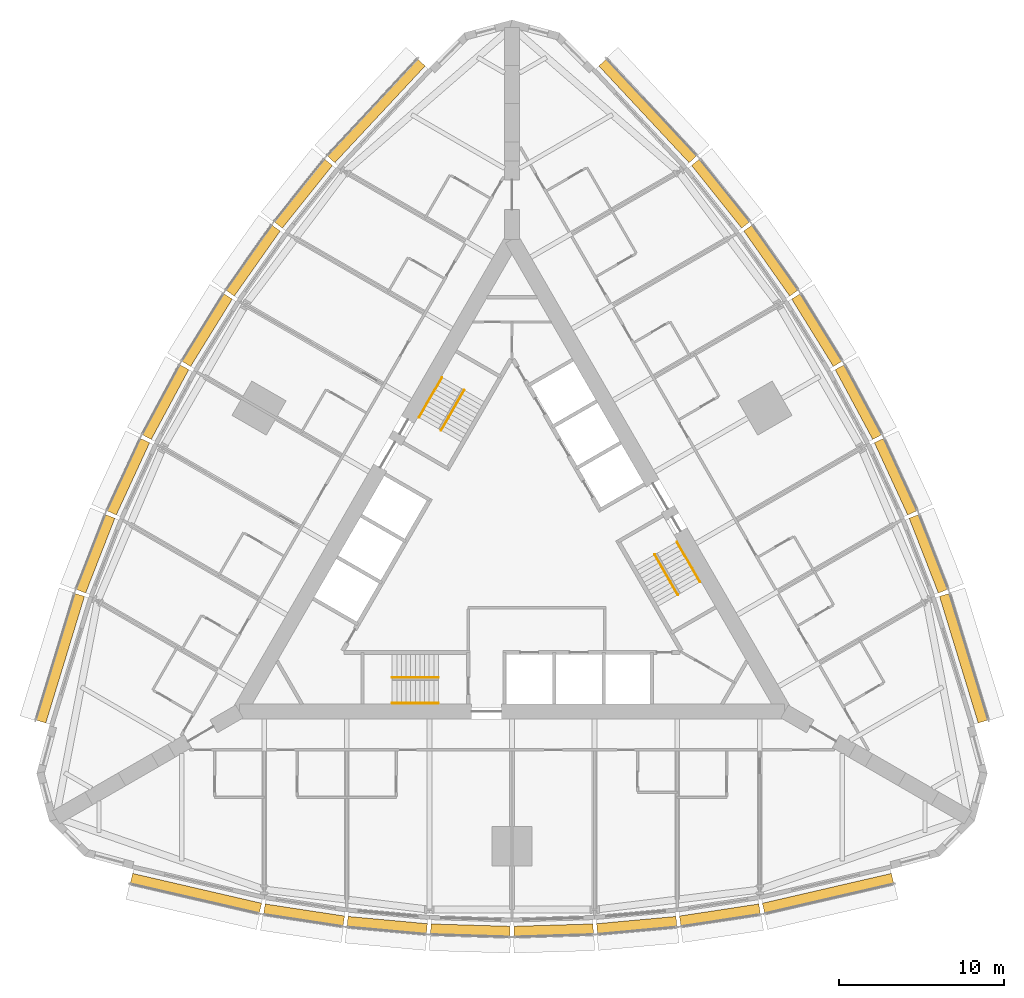
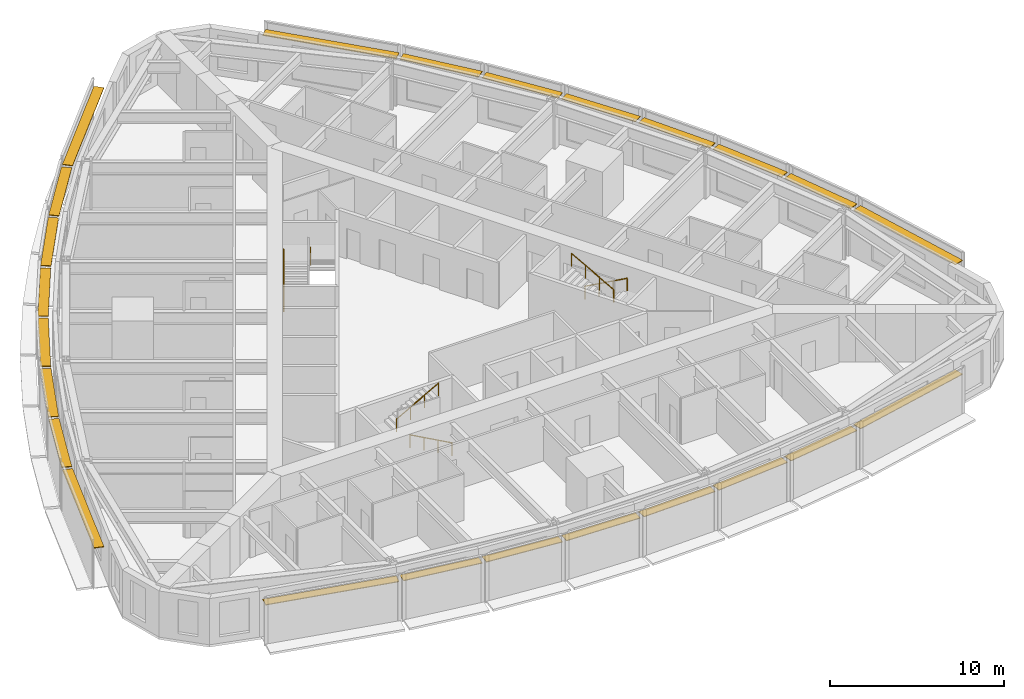
# One storey, part 14 of 14: 24 shading devices, 6 railings.
"""IFC4 building model written with IfcOpenShell, lengths in metres."""

from ifc_helpers import new_model, si_unit, direction, frame, origin, origin_2d, place, context, subcontext, project, spatial, rectangle, circle, extrude, material, type_object, element, save


model = new_model("IFC4")

# Units and contexts
model_context = context("Model", 3, precision=1e-05, world=origin(), true_north=direction((0.0, 1.0)))
body_context = subcontext(model_context, "Body", "Model", "MODEL_VIEW")
ifc_project = project(units=[si_unit("LENGTHUNIT", "METRE"), si_unit("AREAUNIT", "SQUARE_METRE"), si_unit("VOLUMEUNIT", "CUBIC_METRE"), si_unit("PLANEANGLEUNIT", "RADIAN"), si_unit("MASSUNIT", "GRAM", prefix="KILO")], contexts=[model_context])

# Site, building, storey
site_placement = place(None, origin())
site = spatial("IfcSite", under=ifc_project, at=site_placement, CompositionType="ELEMENT")
building_placement = place(site_placement, origin())
building = spatial("IfcBuilding", under=site, at=building_placement, Name="Trikona Tower", CompositionType="ELEMENT")
storey_placement = place(building_placement, frame((0.0, 0.0, 45.5)))
storey = spatial("IfcBuildingStorey", under=building, at=storey_placement, Name="L10", CompositionType="ELEMENT", Elevation=45.5)

# Shading devices
ifc_material_1 = material(Name="Aluminium louvre blade, pale anodised", Category="aluminium")
shading_device_type = type_object("IfcShadingDeviceType", Name="Cavity louvre 600", PredefinedType="USERDEFINED", material=ifc_material_1)
shading_device_1_placement = place(storey_placement, frame((-19.126220703125, -20.5234375, 2.77490234375), z_axis=(0.0, 0.0, 1.0), x_axis=(0.974277718622, -0.225350675607, 0.0)))
element("IfcShadingDevice", 1, at=shading_device_1_placement, inside=storey, type_object=shading_device_type, Name="Cavity louvre L10-00", ObjectType="LOUVRE", PredefinedType="USERDEFINED", context=body_context, shape_type="SweptSolid", body=[
    extrude(rectangle(XDim=8.01123046875, YDim=0.60009765625, at=origin_2d()), origin(), (0.0, 0.0, 1.0), 0.050048828125),
])
shading_device_2_placement = place(storey_placement, frame((-12.584228515625, -21.837158203125, 2.77490234375), z_axis=(0.0, 0.0, 1.0), x_axis=(0.988617896768, -0.150448177754, 0.0)))
element("IfcShadingDevice", 2, at=shading_device_2_placement, inside=storey, type_object=shading_device_type, Name="Cavity louvre L10-01", ObjectType="LOUVRE", PredefinedType="USERDEFINED", context=body_context, shape_type="SweptSolid", body=[
    extrude(rectangle(XDim=4.857666015625, YDim=0.60009765625, at=origin_2d()), origin(), (0.0, 0.0, 1.0), 0.050048828125),
])
shading_device_3_placement = place(storey_placement, frame((-7.55078125, -22.44970703125, 2.77490234375), z_axis=(0.0, 0.0, 1.0), x_axis=(0.995858098326, -0.090921108655, 0.0)))
element("IfcShadingDevice", 3, at=shading_device_3_placement, inside=storey, type_object=shading_device_type, Name="Cavity louvre L10-02", ObjectType="LOUVRE", PredefinedType="USERDEFINED", context=body_context, shape_type="SweptSolid", body=[
    extrude(rectangle(XDim=4.82080078125, YDim=0.60009765625, at=origin_2d()), origin(), (0.0, 0.0, 1.0), 0.050048828125),
])
for number, where, z_axis, x_axis, name in (
    (4, (-2.51708984375, -22.756103515625, 2.77490234375), (0.0, 0.0, 1.0), (0.999537048889, -0.030425119525, 0.0), "Cavity louvre L10-03"),
    (5, (2.51708984375, -22.756103515625, 2.77490234375), (0.0, 0.0, 1.0), (0.999537048889, 0.030425119525, 0.0), "Cavity louvre L10-04"),
):
    element("IfcShadingDevice", number, at=place(storey_placement, frame(where, z_axis=z_axis, x_axis=x_axis)), inside=storey, type_object=shading_device_type, Name=name, ObjectType="LOUVRE", PredefinedType="USERDEFINED", context=body_context, shape_type="SweptSolid", body=[
        extrude(rectangle(XDim=4.80224609375, YDim=0.60009765625, at=origin_2d()), origin(), (0.0, 0.0, 1.0), 0.050048828125),
    ])
shading_device_4_placement = place(storey_placement, frame((7.55078125, -22.44970703125, 2.77490234375), z_axis=(0.0, 0.0, 1.0), x_axis=(0.995858098326, 0.090921108655, 0.0)))
element("IfcShadingDevice", 6, at=shading_device_4_placement, inside=storey, type_object=shading_device_type, Name="Cavity louvre L10-05", ObjectType="LOUVRE", PredefinedType="USERDEFINED", context=body_context, shape_type="SweptSolid", body=[
    extrude(rectangle(XDim=4.82080078125, YDim=0.60009765625, at=origin_2d()), origin(), (0.0, 0.0, 1.0), 0.050048828125),
])
shading_device_5_placement = place(storey_placement, frame((12.584228515625, -21.837158203125, 2.77490234375), z_axis=(0.0, 0.0, 1.0), x_axis=(0.988617896768, 0.150448177754, 0.0)))
element("IfcShadingDevice", 7, at=shading_device_5_placement, inside=storey, type_object=shading_device_type, Name="Cavity louvre L10-06", ObjectType="LOUVRE", PredefinedType="USERDEFINED", context=body_context, shape_type="SweptSolid", body=[
    extrude(rectangle(XDim=4.857666015625, YDim=0.60009765625, at=origin_2d()), origin(), (0.0, 0.0, 1.0), 0.050048828125),
])
for number, where, z_axis, x_axis, name in (
    (8, (19.126220703125, -20.5234375, 2.77490234375), (0.0, 0.0, 1.0), (0.974277718622, 0.225350675607, 0.0), "Cavity louvre L10-07"),
    (9, (27.3369140625, -6.302001953125, 2.77490234375), (0.0, 0.0, 1.0), (-0.291979449475, 0.956424592471, 0.0), "Cavity louvre L10-12"),
):
    element("IfcShadingDevice", number, at=place(storey_placement, frame(where, z_axis=z_axis, x_axis=x_axis)), inside=storey, type_object=shading_device_type, Name=name, ObjectType="LOUVRE", PredefinedType="USERDEFINED", context=body_context, shape_type="SweptSolid", body=[
        extrude(rectangle(XDim=8.01123046875, YDim=0.60009765625, at=origin_2d()), origin(), (0.0, 0.0, 1.0), 0.050048828125),
    ])
shading_device_6_placement = place(storey_placement, frame((25.20361328125, 0.020263671875, 2.77490234375), z_axis=(0.0, 0.0, 1.0), x_axis=(-0.364008876551, 0.931395478726, 0.0)))
element("IfcShadingDevice", 10, at=shading_device_6_placement, inside=storey, type_object=shading_device_type, Name="Cavity louvre L10-13", ObjectType="LOUVRE", PredefinedType="USERDEFINED", context=body_context, shape_type="SweptSolid", body=[
    extrude(rectangle(XDim=4.857666015625, YDim=0.60009765625, at=origin_2d()), origin(), (0.0, 0.0, 1.0), 0.050048828125),
])
shading_device_7_placement = place(storey_placement, frame((23.217529296875, 4.685546875, 2.77490234375), z_axis=(0.0, 0.0, 1.0), x_axis=(-0.41919381307, 0.907896771161, 0.0)))
element("IfcShadingDevice", 11, at=shading_device_7_placement, inside=storey, type_object=shading_device_type, Name="Cavity louvre L10-14", ObjectType="LOUVRE", PredefinedType="USERDEFINED", context=body_context, shape_type="SweptSolid", body=[
    extrude(rectangle(XDim=4.82080078125, YDim=0.60009765625, at=origin_2d()), origin(), (0.0, 0.0, 1.0), 0.050048828125),
])
for number, where, z_axis, x_axis, name in (
    (12, (20.966064453125, 9.1982421875, 2.77490234375), (0.0, 0.0, 1.0), (-0.473422672721, 0.880835383572, 0.0), "Cavity louvre L10-15"),
    (13, (18.448974609375, 13.557861328125, 2.77490234375), (0.0, 0.0, 1.0), (-0.526118935114, 0.85041099835, 0.0), "Cavity louvre L10-16"),
):
    element("IfcShadingDevice", number, at=place(storey_placement, frame(where, z_axis=z_axis, x_axis=x_axis)), inside=storey, type_object=shading_device_type, Name=name, ObjectType="LOUVRE", PredefinedType="USERDEFINED", context=body_context, shape_type="SweptSolid", body=[
        extrude(rectangle(XDim=4.80224609375, YDim=0.60009765625, at=origin_2d()), origin(), (0.0, 0.0, 1.0), 0.050048828125),
    ])
shading_device_8_placement = place(storey_placement, frame((15.666748046875, 17.76416015625, 2.77490234375), z_axis=(0.0, 0.0, 1.0), x_axis=(-0.576661909499, 0.816982889743, 0.0)))
element("IfcShadingDevice", 14, at=shading_device_8_placement, inside=storey, type_object=shading_device_type, Name="Cavity louvre L10-17", ObjectType="LOUVRE", PredefinedType="USERDEFINED", context=body_context, shape_type="SweptSolid", body=[
    extrude(rectangle(XDim=4.82080078125, YDim=0.60009765625, at=origin_2d()), origin(), (0.0, 0.0, 1.0), 0.050048828125),
])
shading_device_9_placement = place(storey_placement, frame((12.619384765625, 21.81689453125, 2.77490234375), z_axis=(0.0, 0.0, 1.0), x_axis=(-0.624603618277, 0.780941944087, 0.0)))
element("IfcShadingDevice", 15, at=shading_device_9_placement, inside=storey, type_object=shading_device_type, Name="Cavity louvre L10-18", ObjectType="LOUVRE", PredefinedType="USERDEFINED", context=body_context, shape_type="SweptSolid", body=[
    extrude(rectangle(XDim=4.857666015625, YDim=0.60009765625, at=origin_2d()), origin(), (0.0, 0.0, 1.0), 0.050048828125),
])
for number, where, z_axis, x_axis, name in (
    (16, (8.210693359375, 26.825439453125, 2.77490234375), (0.0, 0.0, 1.0), (-0.682298269147, 0.731073916864, 0.0), "Cavity louvre L10-19"),
    (17, (-8.210693359375, 26.825439453125, 2.77490234375), (0.0, 0.0, 1.0), (-0.682298269147, -0.731073916864, 0.0), "Cavity louvre L10-24"),
):
    element("IfcShadingDevice", number, at=place(storey_placement, frame(where, z_axis=z_axis, x_axis=x_axis)), inside=storey, type_object=shading_device_type, Name=name, ObjectType="LOUVRE", PredefinedType="USERDEFINED", context=body_context, shape_type="SweptSolid", body=[
        extrude(rectangle(XDim=8.01123046875, YDim=0.60009765625, at=origin_2d()), origin(), (0.0, 0.0, 1.0), 0.050048828125),
    ])
shading_device_10_placement = place(storey_placement, frame((-12.619384765625, 21.81689453125, 2.77490234375), z_axis=(0.0, 0.0, 1.0), x_axis=(-0.624603618277, -0.780941944087, 0.0)))
element("IfcShadingDevice", 18, at=shading_device_10_placement, inside=storey, type_object=shading_device_type, Name="Cavity louvre L10-25", ObjectType="LOUVRE", PredefinedType="USERDEFINED", context=body_context, shape_type="SweptSolid", body=[
    extrude(rectangle(XDim=4.857666015625, YDim=0.60009765625, at=origin_2d()), origin(), (0.0, 0.0, 1.0), 0.050048828125),
])
shading_device_11_placement = place(storey_placement, frame((-15.666748046875, 17.76416015625, 2.77490234375), z_axis=(0.0, 0.0, 1.0), x_axis=(-0.576661909499, -0.816982889743, 0.0)))
element("IfcShadingDevice", 19, at=shading_device_11_placement, inside=storey, type_object=shading_device_type, Name="Cavity louvre L10-26", ObjectType="LOUVRE", PredefinedType="USERDEFINED", context=body_context, shape_type="SweptSolid", body=[
    extrude(rectangle(XDim=4.82080078125, YDim=0.60009765625, at=origin_2d()), origin(), (0.0, 0.0, 1.0), 0.050048828125),
])
for number, where, z_axis, x_axis, name in (
    (20, (-18.448974609375, 13.557861328125, 2.77490234375), (0.0, 0.0, 1.0), (-0.526118935114, -0.85041099835, 0.0), "Cavity louvre L10-27"),
    (21, (-20.966064453125, 9.1982421875, 2.77490234375), (0.0, 0.0, 1.0), (-0.473422672721, -0.880835383572, 0.0), "Cavity louvre L10-28"),
):
    element("IfcShadingDevice", number, at=place(storey_placement, frame(where, z_axis=z_axis, x_axis=x_axis)), inside=storey, type_object=shading_device_type, Name=name, ObjectType="LOUVRE", PredefinedType="USERDEFINED", context=body_context, shape_type="SweptSolid", body=[
        extrude(rectangle(XDim=4.80224609375, YDim=0.60009765625, at=origin_2d()), origin(), (0.0, 0.0, 1.0), 0.050048828125),
    ])
shading_device_12_placement = place(storey_placement, frame((-23.217529296875, 4.685546875, 2.77490234375), z_axis=(0.0, 0.0, 1.0), x_axis=(-0.41919381307, -0.907896771161, 0.0)))
element("IfcShadingDevice", 22, at=shading_device_12_placement, inside=storey, type_object=shading_device_type, Name="Cavity louvre L10-29", ObjectType="LOUVRE", PredefinedType="USERDEFINED", context=body_context, shape_type="SweptSolid", body=[
    extrude(rectangle(XDim=4.82080078125, YDim=0.60009765625, at=origin_2d()), origin(), (0.0, 0.0, 1.0), 0.050048828125),
])
shading_device_13_placement = place(storey_placement, frame((-25.20361328125, 0.020263671875, 2.77490234375), z_axis=(0.0, 0.0, 1.0), x_axis=(-0.364008876551, -0.931395478726, 0.0)))
element("IfcShadingDevice", 23, at=shading_device_13_placement, inside=storey, type_object=shading_device_type, Name="Cavity louvre L10-30", ObjectType="LOUVRE", PredefinedType="USERDEFINED", context=body_context, shape_type="SweptSolid", body=[
    extrude(rectangle(XDim=4.857666015625, YDim=0.60009765625, at=origin_2d()), origin(), (0.0, 0.0, 1.0), 0.050048828125),
])
shading_device_14_placement = place(storey_placement, frame((-27.3369140625, -6.302001953125, 2.77490234375), z_axis=(0.0, 0.0, 1.0), x_axis=(-0.291979449475, -0.956424592471, 0.0)))
element("IfcShadingDevice", 24, at=shading_device_14_placement, inside=storey, type_object=shading_device_type, Name="Cavity louvre L10-31", ObjectType="LOUVRE", PredefinedType="USERDEFINED", context=body_context, shape_type="SweptSolid", body=[
    extrude(rectangle(XDim=8.01123046875, YDim=0.60009765625, at=origin_2d()), origin(), (0.0, 0.0, 1.0), 0.050048828125),
])

# Railings
ifc_material_2 = material(Name="Stainless steel handrail", Category="steel")
railing_type = type_object("IfcRailingType", Name="Stair handrail", PredefinedType="HANDRAIL", material=ifc_material_2)
railing_1_placement = place(storey_placement, frame((-4.449951171875, -9.016357421875, 0.154541015625)))
element("IfcRailing", 25, at=railing_1_placement, inside=storey, type_object=railing_type, Name="Stair handrail A L10 1", PredefinedType="HANDRAIL", context=body_context, shape_type="SweptSolid", body=[
    extrude(circle(Radius=0.02392578125, at=origin_2d()), frame((0.0, 0.0, 0.8759765625), z_axis=(-0.875504190374, 0.0, 0.483210526207), x_axis=(0.0, -1.0, 0.0)), (0.0, 0.0, 1.0), 3.1982421875),
    extrude(circle(Radius=0.02099609375, at=origin_2d()), origin(), (0.0, 0.0, 1.0), 0.851806640625),
    extrude(circle(Radius=0.02099609375, at=origin_2d()), frame((-0.933349609375, 0.0, 0.51513671875)), (0.0, 0.0, 1.0), 0.851806640625),
    extrude(circle(Radius=0.02099609375, at=origin_2d()), frame((-1.86669921875, 0.0, 1.0302734375)), (0.0, 0.0, 1.0), 0.851806640625),
    extrude(circle(Radius=0.02099609375, at=origin_2d()), frame((-2.800048828125, 0.0, 1.54541015625)), (0.0, 0.0, 1.0), 0.851806640625),
])
railing_2_placement = place(storey_placement, frame((-7.25, -7.46630859375, 1.8544921875)))
element("IfcRailing", 26, at=railing_2_placement, inside=storey, type_object=railing_type, Name="Stair handrail A L10 2", PredefinedType="HANDRAIL", context=body_context, shape_type="SweptSolid", body=[
    extrude(circle(Radius=0.02392578125, at=origin_2d()), frame((0.0, 0.0, 0.8759765625), z_axis=(0.875504190374, 0.0, 0.483210526207), x_axis=(0.0, 1.0, 0.0)), (0.0, 0.0, 1.0), 3.1982421875),
    extrude(circle(Radius=0.02099609375, at=origin_2d()), origin(), (0.0, 0.0, 1.0), 0.851806640625),
    extrude(circle(Radius=0.02099609375, at=origin_2d()), frame((0.933349609375, 0.0, 0.51513671875)), (0.0, 0.0, 1.0), 0.851806640625),
    extrude(circle(Radius=0.02099609375, at=origin_2d()), frame((1.86669921875, 0.0, 1.0302734375)), (0.0, 0.0, 1.0), 0.851806640625),
    extrude(circle(Radius=0.02099609375, at=origin_2d()), frame((2.800048828125, 0.0, 1.54541015625)), (0.0, 0.0, 1.0), 0.851806640625),
])
railing_3_placement = place(storey_placement, frame((9.9833984375, 0.740966796875, 0.154541015625)))
element("IfcRailing", 27, at=railing_3_placement, inside=storey, type_object=railing_type, Name="Stair handrail B L10 1", PredefinedType="HANDRAIL", context=body_context, shape_type="SweptSolid", body=[
    extrude(circle(Radius=0.02392578125, at=origin_2d()), frame((0.0, 0.0, 0.8759765625), z_axis=(0.437707188162, -0.758239536103, 0.483203087036), x_axis=(0.866056369097, 0.49994636267, 0.0)), (0.0, 0.0, 1.0), 3.1982421875),
    extrude(circle(Radius=0.02099609375, at=origin_2d()), origin(), (0.0, 0.0, 1.0), 0.851806640625),
    extrude(circle(Radius=0.02099609375, at=origin_2d()), frame((0.466552734375, -0.808349609375, 0.51513671875)), (0.0, 0.0, 1.0), 0.851806640625),
    extrude(circle(Radius=0.02099609375, at=origin_2d()), frame((0.933349609375, -1.61669921875, 1.0302734375)), (0.0, 0.0, 1.0), 0.851806640625),
    extrude(circle(Radius=0.02099609375, at=origin_2d()), frame((1.39990234375, -2.425048828125, 1.54541015625)), (0.0, 0.0, 1.0), 0.851806640625),
])
railing_4_placement = place(storey_placement, frame((10.041015625, -2.458984375, 1.8544921875)))
element("IfcRailing", 28, at=railing_4_placement, inside=storey, type_object=railing_type, Name="Stair handrail B L10 2", PredefinedType="HANDRAIL", context=body_context, shape_type="SweptSolid", body=[
    extrude(circle(Radius=0.02392578125, at=origin_2d()), frame((0.0, 0.0, 0.8759765625), z_axis=(-0.437707188162, 0.758239536103, 0.483203087036), x_axis=(-0.866056369097, -0.49994636267, 0.0)), (0.0, 0.0, 1.0), 3.1982421875),
    extrude(circle(Radius=0.02099609375, at=origin_2d()), origin(), (0.0, 0.0, 1.0), 0.851806640625),
    extrude(circle(Radius=0.02099609375, at=origin_2d()), frame((-0.466552734375, 0.808349609375, 0.51513671875)), (0.0, 0.0, 1.0), 0.851806640625),
    extrude(circle(Radius=0.02099609375, at=origin_2d()), frame((-0.933349609375, 1.61669921875, 1.0302734375)), (0.0, 0.0, 1.0), 0.851806640625),
    extrude(circle(Radius=0.02099609375, at=origin_2d()), frame((-1.39990234375, 2.425048828125, 1.54541015625)), (0.0, 0.0, 1.0), 0.851806640625),
])
railing_5_placement = place(storey_placement, frame((-5.63330078125, 8.275390625, 0.154541015625)))
element("IfcRailing", 29, at=railing_5_placement, inside=storey, type_object=railing_type, Name="Stair handrail C L10 1", PredefinedType="HANDRAIL", context=body_context, shape_type="SweptSolid", body=[
    extrude(circle(Radius=0.02392578125, at=origin_2d()), frame((0.0, 0.0, 0.8759765625), z_axis=(0.437732523806, 0.758207085183, 0.483231056102), x_axis=(-0.866034573852, 0.49998411664, 0.0)), (0.0, 0.0, 1.0), 3.197998046875),
    extrude(circle(Radius=0.02099609375, at=origin_2d()), origin(), (0.0, 0.0, 1.0), 0.851806640625),
    extrude(circle(Radius=0.02099609375, at=origin_2d()), frame((0.466552734375, 0.808349609375, 0.51513671875)), (0.0, 0.0, 1.0), 0.851806640625),
    extrude(circle(Radius=0.02099609375, at=origin_2d()), frame((0.933349609375, 1.616455078125, 1.0302734375)), (0.0, 0.0, 1.0), 0.851806640625),
    extrude(circle(Radius=0.02099609375, at=origin_2d()), frame((1.39990234375, 2.4248046875, 1.54541015625)), (0.0, 0.0, 1.0), 0.851806640625),
])
railing_6_placement = place(storey_placement, frame((-2.89111328125, 9.92529296875, 1.8544921875)))
element("IfcRailing", 30, at=railing_6_placement, inside=storey, type_object=railing_type, Name="Stair handrail C L10 2", PredefinedType="HANDRAIL", context=body_context, shape_type="SweptSolid", body=[
    extrude(circle(Radius=0.02392578125, at=origin_2d()), frame((0.0, 0.0, 0.8759765625), z_axis=(-0.437707188162, -0.758239536103, 0.483203087036), x_axis=(0.866056369097, -0.49994636267, 0.0)), (0.0, 0.0, 1.0), 3.1982421875),
    extrude(circle(Radius=0.02099609375, at=origin_2d()), origin(), (0.0, 0.0, 1.0), 0.851806640625),
    extrude(circle(Radius=0.02099609375, at=origin_2d()), frame((-0.466552734375, -0.808349609375, 0.51513671875)), (0.0, 0.0, 1.0), 0.851806640625),
    extrude(circle(Radius=0.02099609375, at=origin_2d()), frame((-0.933349609375, -1.61669921875, 1.0302734375)), (0.0, 0.0, 1.0), 0.851806640625),
    extrude(circle(Radius=0.02099609375, at=origin_2d()), frame((-1.39990234375, -2.425048828125, 1.54541015625)), (0.0, 0.0, 1.0), 0.851806640625),
])

save(model, "model.ifc")
